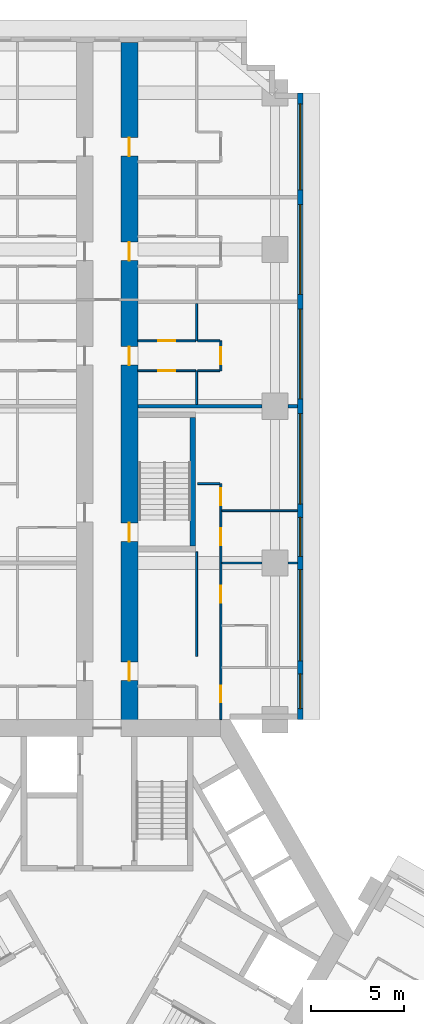
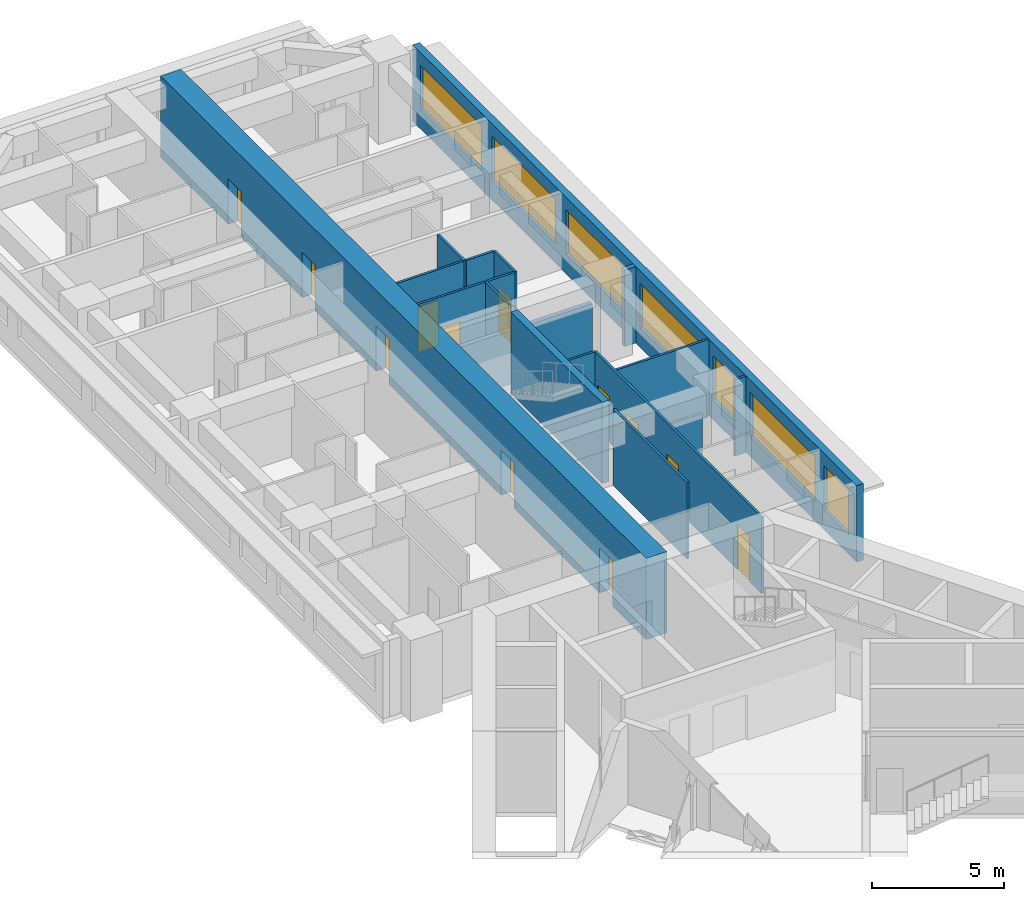
# One storey, part 10 of 16: 18 walls, 12 doors, 7 windows, 19 openings.
"""IFC4 building model written with IfcOpenShell, lengths in metres."""

from ifc_helpers import new_model, si_unit, direction, frame, frame_2d, origin, place, context, subcontext, project, spatial, rectangle, extrude, material, layer, layer_set, type_object, element, fill, save


model = new_model("IFC4")

# Units and contexts
model_context = context("Model", 3, precision=1e-05, world=origin(), true_north=direction((0.0, 1.0)))
body_context = subcontext(model_context, "Body", "Model", "MODEL_VIEW")
ifc_project = project(units=[si_unit("LENGTHUNIT", "METRE"), si_unit("AREAUNIT", "SQUARE_METRE"), si_unit("VOLUMEUNIT", "CUBIC_METRE"), si_unit("PLANEANGLEUNIT", "RADIAN"), si_unit("MASSUNIT", "GRAM", prefix="KILO")], contexts=[model_context])

# Site, building, storey
site_placement = place(None, origin())
site = spatial("IfcSite", under=ifc_project, at=site_placement, CompositionType="ELEMENT")
building_placement = place(site_placement, origin())
building = spatial("IfcBuilding", under=site, at=building_placement, Name="Impinga Residences", CompositionType="ELEMENT")
storey_placement = place(building_placement, frame((0.0, 0.0, 52.25)))
storey = spatial("IfcBuildingStorey", under=building, at=storey_placement, Name="L12", CompositionType="ELEMENT", Elevation=52.25)

# Wall, openings, doors
ifc_material_1 = material(Name="Concrete C70/85", Category="concrete")
ifc_layer_1 = layer(ifc_material_1, 0.89990234375)
ifc_layer_set_1 = layer_set([ifc_layer_1], Name="Concrete C70/85")
wall_type_1 = type_object("IfcWallType", Name="BW1 corridor buttress wall, L05 to L22 900", PredefinedType="SHEAR", material=ifc_layer_set_1)
wall_1_placement = place(storey_placement, frame((1.199951171875, 10.9814453125, 0.0), z_axis=(0.0, 0.0, 1.0), x_axis=(0.0, 1.0, 0.0)))
wall_1 = element("IfcWall", 1, at=wall_1_placement, inside=storey, type_object=wall_type_1, Name="Corridor wall BW1 ND L12", PredefinedType="SHEAR", context=body_context, shape_type="SweptSolid", body=[
    extrude(rectangle(XDim=36.75, YDim=0.89990234375, at=frame_2d((18.375, 0.0))), origin(), (0.0, 0.0, 1.0), 3.75),
])
opening_1_placement = place(wall_1_placement, frame((10.0, 0.0, 0.0)))
opening_1 = element("IfcOpeningElement", 2, at=opening_1_placement, cuts=wall_1, Name="Opening D5", PredefinedType="OPENING", context=body_context, shape_type="SweptSolid", body=[
    extrude(rectangle(XDim=1.0, YDim=2.10009765625, at=frame_2d((0.5, 1.050048828125))), frame((0.0, 0.4599609375, 0.0), z_axis=(0.0, -1.0, 0.0), x_axis=(1.0, 0.0, 0.0)), (0.0, 0.0, 1.0), 0.919921875),
])
opening_2_placement = place(wall_1_placement, frame((2.550048828125, 0.0, 0.0)))
opening_2 = element("IfcOpeningElement", 3, at=opening_2_placement, cuts=wall_1, Name="Opening D1", PredefinedType="OPENING", context=body_context, shape_type="SweptSolid", body=[
    extrude(rectangle(XDim=1.0, YDim=2.10009765625, at=frame_2d((0.5, 1.050048828125))), frame((0.0, 0.4599609375, 0.0), z_axis=(0.0, -1.0, 0.0), x_axis=(1.0, 0.0, 0.0)), (0.0, 0.0, 1.0), 0.919921875),
])
opening_3_placement = place(wall_1_placement, frame((19.449951171875, 0.0, 0.0)))
opening_3 = element("IfcOpeningElement", 4, at=opening_3_placement, cuts=wall_1, Name="Opening D1", PredefinedType="OPENING", context=body_context, shape_type="SweptSolid", body=[
    extrude(rectangle(XDim=1.0, YDim=2.10009765625, at=frame_2d((0.5, 1.050048828125))), frame((0.0, 0.4599609375, 0.0), z_axis=(0.0, -1.0, 0.0), x_axis=(1.0, 0.0, 0.0)), (0.0, 0.0, 1.0), 0.919921875),
])
opening_4_placement = place(wall_1_placement, frame((25.050048828125, 0.0, 0.0)))
opening_4 = element("IfcOpeningElement", 5, at=opening_4_placement, cuts=wall_1, Name="Opening D1", PredefinedType="OPENING", context=body_context, shape_type="SweptSolid", body=[
    extrude(rectangle(XDim=1.0, YDim=2.10009765625, at=frame_2d((0.5, 1.050048828125))), frame((0.0, 0.4599609375, 0.0), z_axis=(0.0, -1.0, 0.0), x_axis=(1.0, 0.0, 0.0)), (0.0, 0.0, 1.0), 0.919921875),
])
opening_5_placement = place(wall_1_placement, frame((30.64990234375, 0.0, 0.0)))
opening_5 = element("IfcOpeningElement", 6, at=opening_5_placement, cuts=wall_1, Name="Opening D1", PredefinedType="OPENING", context=body_context, shape_type="SweptSolid", body=[
    extrude(rectangle(XDim=1.0, YDim=2.10009765625, at=frame_2d((0.5, 1.050048828125))), frame((0.0, 0.4599609375, 0.0), z_axis=(0.0, -1.0, 0.0), x_axis=(1.0, 0.0, 0.0)), (0.0, 0.0, 1.0), 0.919921875),
])
ifc_material_2 = material(Name="Timber door set", Category="wood")
door_type_1 = type_object("IfcDoorType", Name="D1 apartment entrance door 1000x2100", OperationType="SINGLE_SWING_LEFT", PredefinedType="DOOR", material=ifc_material_2)
door_1_placement = place(opening_2_placement, origin())
door_1 = element("IfcDoor", 7, at=door_1_placement, inside=storey, type_object=door_type_1, Name="Apartment L12-NF1 entrance", OperationType="SINGLE_SWING_LEFT", OverallHeight=2.10009765625, OverallWidth=1.0, PredefinedType="DOOR", context=body_context, shape_type="SweptSolid", body=[
    extrude(rectangle(XDim=1.0, YDim=2.10009765625, at=frame_2d((0.5, 1.050048828125))), frame((0.0, 0.02490234375, 0.0), z_axis=(0.0, -1.0, 0.0), x_axis=(1.0, 0.0, 0.0)), (0.0, 0.0, 1.0), 0.050048828125),
])
fill(opening_2, door_1)
door_2_placement = place(opening_3_placement, origin())
door_2 = element("IfcDoor", 8, at=door_2_placement, inside=storey, type_object=door_type_1, Name="Apartment L12-NF2 entrance", OperationType="SINGLE_SWING_RIGHT", OverallHeight=2.10009765625, OverallWidth=1.0, PredefinedType="DOOR", context=body_context, shape_type="SweptSolid", body=[
    extrude(rectangle(XDim=1.0, YDim=2.10009765625, at=frame_2d((0.5, 1.050048828125))), frame((0.0, 0.02490234375, 0.0), z_axis=(0.0, -1.0, 0.0), x_axis=(1.0, 0.0, 0.0)), (0.0, 0.0, 1.0), 0.050048828125),
])
fill(opening_3, door_2)
door_3_placement = place(opening_4_placement, origin())
door_3 = element("IfcDoor", 9, at=door_3_placement, inside=storey, type_object=door_type_1, Name="Apartment L12-NF3 entrance", OperationType="SINGLE_SWING_RIGHT", OverallHeight=2.10009765625, OverallWidth=1.0, PredefinedType="DOOR", context=body_context, shape_type="SweptSolid", body=[
    extrude(rectangle(XDim=1.0, YDim=2.10009765625, at=frame_2d((0.5, 1.050048828125))), frame((0.0, 0.02490234375, 0.0), z_axis=(0.0, -1.0, 0.0), x_axis=(1.0, 0.0, 0.0)), (0.0, 0.0, 1.0), 0.050048828125),
])
fill(opening_4, door_3)
door_4_placement = place(opening_5_placement, origin())
door_4 = element("IfcDoor", 10, at=door_4_placement, inside=storey, type_object=door_type_1, Name="Apartment L12-NF4 entrance", OperationType="SINGLE_SWING_RIGHT", OverallHeight=2.10009765625, OverallWidth=1.0, PredefinedType="DOOR", context=body_context, shape_type="SweptSolid", body=[
    extrude(rectangle(XDim=1.0, YDim=2.10009765625, at=frame_2d((0.5, 1.050048828125))), frame((0.0, 0.02490234375, 0.0), z_axis=(0.0, -1.0, 0.0), x_axis=(1.0, 0.0, 0.0)), (0.0, 0.0, 1.0), 0.050048828125),
])
fill(opening_5, door_4)
door_type_2 = type_object("IfcDoorType", Name="D5 stair door 1000x2100", OperationType="SINGLE_SWING_LEFT", PredefinedType="DOOR", material=ifc_material_2)
door_5_placement = place(opening_1_placement, origin())
door_5 = element("IfcDoor", 11, at=door_5_placement, inside=storey, type_object=door_type_2, Name="Wing stair door N", OperationType="SINGLE_SWING_LEFT", OverallHeight=2.10009765625, OverallWidth=1.0, PredefinedType="DOOR", context=body_context, shape_type="SweptSolid", body=[
    extrude(rectangle(XDim=1.0, YDim=2.10009765625, at=frame_2d((0.5, 1.050048828125))), frame((0.0, 0.02490234375, 0.0), z_axis=(0.0, -1.0, 0.0), x_axis=(1.0, 0.0, 0.0)), (0.0, 0.0, 1.0), 0.050048828125),
])
fill(opening_1, door_5)

# Wall, openings, windows
ifc_material_3 = material(Name="Terracotta rainscreen on blockwork", Category="masonry")
ifc_layer_2 = layer(ifc_material_3, 0.300048828125)
ifc_layer_set_2 = layer_set([ifc_layer_2], Name="EW1 external wall, terracotta rainscreen on blockwork 300")
wall_type_2 = type_object("IfcWallType", Name="EW1 external wall, terracotta rainscreen on blockwork 300", PredefinedType="SOLIDWALL", material=ifc_layer_set_2)
wall_2_placement = place(storey_placement, frame((10.35009765625, 45.031494140625, 0.0), z_axis=(0.0, 0.0, 1.0), x_axis=(0.0, -1.0, 0.0)))
wall_2 = element("IfcWall", 12, at=wall_2_placement, inside=storey, type_object=wall_type_2, Name="External wall EW1 L12", PredefinedType="SOLIDWALL", context=body_context, shape_type="SweptSolid", body=[
    extrude(rectangle(XDim=33.599853515625, YDim=0.300048828125, at=frame_2d((16.7998046875, 0.0))), origin(), (0.0, 0.0, 1.0), 3.530029296875),
])
opening_6_placement = place(wall_2_placement, frame((0.60009765625, 0.0, 0.89990234375)))
opening_6 = element("IfcOpeningElement", 13, at=opening_6_placement, cuts=wall_2, Name="Opening W3", PredefinedType="OPENING", context=body_context, shape_type="SweptSolid", body=[
    extrude(rectangle(XDim=4.60009765625, YDim=2.050048828125, at=frame_2d((2.300048828125, 1.02490234375))), frame((0.0, 0.159912109375, 0.0), z_axis=(0.0, -1.0, 0.0), x_axis=(1.0, 0.0, 0.0)), (0.0, 0.0, 1.0), 0.320068359375),
])
opening_7_placement = place(wall_2_placement, frame((6.0, 0.0, 0.89990234375)))
opening_7 = element("IfcOpeningElement", 14, at=opening_7_placement, cuts=wall_2, Name="Opening W8", PredefinedType="OPENING", context=body_context, shape_type="SweptSolid", body=[
    extrude(rectangle(XDim=4.800048828125, YDim=2.050048828125, at=frame_2d((2.39990234375, 1.02490234375))), frame((0.0, 0.159912109375, 0.0), z_axis=(0.0, -1.0, 0.0), x_axis=(1.0, 0.0, 0.0)), (0.0, 0.0, 1.0), 0.320068359375),
])
opening_8_placement = place(wall_2_placement, frame((11.60009765625, 0.0, 0.89990234375)))
opening_8 = element("IfcOpeningElement", 15, at=opening_8_placement, cuts=wall_2, Name="Opening W8", PredefinedType="OPENING", context=body_context, shape_type="SweptSolid", body=[
    extrude(rectangle(XDim=4.800048828125, YDim=2.050048828125, at=frame_2d((2.39990234375, 1.02490234375))), frame((0.0, 0.159912109375, 0.0), z_axis=(0.0, -1.0, 0.0), x_axis=(1.0, 0.0, 0.0)), (0.0, 0.0, 1.0), 0.320068359375),
])
opening_9_placement = place(wall_2_placement, frame((17.199951171875, 0.0, 0.89990234375)))
opening_9 = element("IfcOpeningElement", 16, at=opening_9_placement, cuts=wall_2, Name="Opening W6", PredefinedType="OPENING", context=body_context, shape_type="SweptSolid", body=[
    extrude(rectangle(XDim=4.85009765625, YDim=2.050048828125, at=frame_2d((2.425048828125, 1.02490234375))), frame((0.0, 0.159912109375, 0.0), z_axis=(0.0, -1.0, 0.0), x_axis=(1.0, 0.0, 0.0)), (0.0, 0.0, 1.0), 0.320068359375),
])
opening_10_placement = place(wall_2_placement, frame((22.75, 0.0, 0.89990234375)))
opening_10 = element("IfcOpeningElement", 17, at=opening_10_placement, cuts=wall_2, Name="Opening W9", PredefinedType="OPENING", context=body_context, shape_type="SweptSolid", body=[
    extrude(rectangle(XDim=2.10009765625, YDim=2.050048828125, at=frame_2d((1.050048828125, 1.02490234375))), frame((0.0, 0.159912109375, 0.0), z_axis=(0.0, -1.0, 0.0), x_axis=(1.0, 0.0, 0.0)), (0.0, 0.0, 1.0), 0.320068359375),
])
opening_11_placement = place(wall_2_placement, frame((25.550048828125, 0.0, 0.89990234375)))
opening_11 = element("IfcOpeningElement", 18, at=opening_11_placement, cuts=wall_2, Name="Opening W16", PredefinedType="OPENING", context=body_context, shape_type="SweptSolid", body=[
    extrude(rectangle(XDim=4.89990234375, YDim=2.050048828125, at=frame_2d((2.449951171875, 1.02490234375))), frame((0.0, 0.159912109375, 0.0), z_axis=(0.0, -1.0, 0.0), x_axis=(1.0, 0.0, 0.0)), (0.0, 0.0, 1.0), 0.320068359375),
])
opening_12_placement = place(wall_2_placement, frame((31.14990234375, 0.0, 0.89990234375)))
opening_12 = element("IfcOpeningElement", 19, at=opening_12_placement, cuts=wall_2, Name="Opening W15", PredefinedType="OPENING", context=body_context, shape_type="SweptSolid", body=[
    extrude(rectangle(XDim=1.85009765625, YDim=2.050048828125, at=frame_2d((0.925048828125, 1.02490234375))), frame((0.0, 0.159912109375, 0.0), z_axis=(0.0, -1.0, 0.0), x_axis=(1.0, 0.0, 0.0)), (0.0, 0.0, 1.0), 0.320068359375),
])
ifc_material_4 = material(Name="Aluminium window, clear double glazing", Category="aluminium")
window_type_1 = type_object("IfcWindowType", Name="W15 ribbon window 1850x2050", PartitioningType="SINGLE_PANEL", PredefinedType="WINDOW", material=ifc_material_4)
window_1_placement = place(opening_12_placement, origin())
window_1 = element("IfcWindow", 20, at=window_1_placement, inside=storey, type_object=window_type_1, Name="Window L12", OverallHeight=2.050048828125, OverallWidth=1.85009765625, PartitioningType="SINGLE_PANEL", PredefinedType="WINDOW", context=body_context, shape_type="SweptSolid", body=[
    extrude(rectangle(XDim=1.85009765625, YDim=2.050048828125, at=frame_2d((0.925048828125, 1.02490234375))), frame((0.0, 0.030029296875, 0.0), z_axis=(0.0, -1.0, 0.0), x_axis=(1.0, 0.0, 0.0)), (0.0, 0.0, 1.0), 0.06005859375),
])
fill(opening_12, window_1)
window_type_2 = type_object("IfcWindowType", Name="W16 ribbon window 4900x2050", PartitioningType="SINGLE_PANEL", PredefinedType="WINDOW", material=ifc_material_4)
window_2_placement = place(opening_11_placement, origin())
window_2 = element("IfcWindow", 21, at=window_2_placement, inside=storey, type_object=window_type_2, Name="Window L12", OverallHeight=2.050048828125, OverallWidth=4.89990234375, PartitioningType="SINGLE_PANEL", PredefinedType="WINDOW", context=body_context, shape_type="SweptSolid", body=[
    extrude(rectangle(XDim=4.89990234375, YDim=2.050048828125, at=frame_2d((2.449951171875, 1.02490234375))), frame((0.0, 0.030029296875, 0.0), z_axis=(0.0, -1.0, 0.0), x_axis=(1.0, 0.0, 0.0)), (0.0, 0.0, 1.0), 0.06005859375),
])
fill(opening_11, window_2)
window_type_3 = type_object("IfcWindowType", Name="W3 ribbon window 4600x2050", PartitioningType="SINGLE_PANEL", PredefinedType="WINDOW", material=ifc_material_4)
window_3_placement = place(opening_6_placement, origin())
window_3 = element("IfcWindow", 22, at=window_3_placement, inside=storey, type_object=window_type_3, Name="Window L12", OverallHeight=2.050048828125, OverallWidth=4.60009765625, PartitioningType="SINGLE_PANEL", PredefinedType="WINDOW", context=body_context, shape_type="SweptSolid", body=[
    extrude(rectangle(XDim=4.60009765625, YDim=2.050048828125, at=frame_2d((2.300048828125, 1.02490234375))), frame((0.0, 0.030029296875, 0.0), z_axis=(0.0, -1.0, 0.0), x_axis=(1.0, 0.0, 0.0)), (0.0, 0.0, 1.0), 0.06005859375),
])
fill(opening_6, window_3)
window_type_4 = type_object("IfcWindowType", Name="W6 ribbon window 4850x2050", PartitioningType="SINGLE_PANEL", PredefinedType="WINDOW", material=ifc_material_4)
window_4_placement = place(opening_9_placement, origin())
window_4 = element("IfcWindow", 23, at=window_4_placement, inside=storey, type_object=window_type_4, Name="Window L12", OverallHeight=2.050048828125, OverallWidth=4.85009765625, PartitioningType="SINGLE_PANEL", PredefinedType="WINDOW", context=body_context, shape_type="SweptSolid", body=[
    extrude(rectangle(XDim=4.85009765625, YDim=2.050048828125, at=frame_2d((2.425048828125, 1.02490234375))), frame((0.0, 0.030029296875, 0.0), z_axis=(0.0, -1.0, 0.0), x_axis=(1.0, 0.0, 0.0)), (0.0, 0.0, 1.0), 0.06005859375),
])
fill(opening_9, window_4)
window_type_5 = type_object("IfcWindowType", Name="W8 ribbon window 4800x2050", PartitioningType="SINGLE_PANEL", PredefinedType="WINDOW", material=ifc_material_4)
window_5_placement = place(opening_7_placement, origin())
window_5 = element("IfcWindow", 24, at=window_5_placement, inside=storey, type_object=window_type_5, Name="Window L12", OverallHeight=2.050048828125, OverallWidth=4.800048828125, PartitioningType="SINGLE_PANEL", PredefinedType="WINDOW", context=body_context, shape_type="SweptSolid", body=[
    extrude(rectangle(XDim=4.800048828125, YDim=2.050048828125, at=frame_2d((2.39990234375, 1.02490234375))), frame((0.0, 0.030029296875, 0.0), z_axis=(0.0, -1.0, 0.0), x_axis=(1.0, 0.0, 0.0)), (0.0, 0.0, 1.0), 0.06005859375),
])
fill(opening_7, window_5)
window_6_placement = place(opening_8_placement, origin())
window_6 = element("IfcWindow", 25, at=window_6_placement, inside=storey, type_object=window_type_5, Name="Window L12", OverallHeight=2.050048828125, OverallWidth=4.800048828125, PartitioningType="SINGLE_PANEL", PredefinedType="WINDOW", context=body_context, shape_type="SweptSolid", body=[
    extrude(rectangle(XDim=4.800048828125, YDim=2.050048828125, at=frame_2d((2.39990234375, 1.02490234375))), frame((0.0, 0.030029296875, 0.0), z_axis=(0.0, -1.0, 0.0), x_axis=(1.0, 0.0, 0.0)), (0.0, 0.0, 1.0), 0.06005859375),
])
fill(opening_8, window_6)
window_type_6 = type_object("IfcWindowType", Name="W9 ribbon window 2100x2050", PartitioningType="SINGLE_PANEL", PredefinedType="WINDOW", material=ifc_material_4)
window_7_placement = place(opening_10_placement, origin())
window_7 = element("IfcWindow", 26, at=window_7_placement, inside=storey, type_object=window_type_6, Name="Window L12", OverallHeight=2.050048828125, OverallWidth=2.10009765625, PartitioningType="SINGLE_PANEL", PredefinedType="WINDOW", context=body_context, shape_type="SweptSolid", body=[
    extrude(rectangle(XDim=2.10009765625, YDim=2.050048828125, at=frame_2d((1.050048828125, 1.02490234375))), frame((0.0, 0.030029296875, 0.0), z_axis=(0.0, -1.0, 0.0), x_axis=(1.0, 0.0, 0.0)), (0.0, 0.0, 1.0), 0.06005859375),
])
fill(opening_10, window_7)

# Wall
ifc_material_5 = material(Name="Gypsum board on steel studs", Category="steel")
ifc_layer_3 = layer(ifc_material_5, 0.10009765625)
ifc_layer_set_3 = layer_set([ifc_layer_3], Name="Gypsum board on steel studs")
wall_type_3 = type_object("IfcWallType", Name="IP1 partition 100", PredefinedType="PARTITIONING", material=ifc_layer_set_3)
wall_3_placement = place(storey_placement, frame((4.800048828125, 14.83154296875, 0.0), z_axis=(0.0, 0.0, 1.0), x_axis=(0.0, 1.0, 0.0)))
element("IfcWall", 27, at=wall_3_placement, inside=storey, type_object=wall_type_3, Name="Partition L12-NF1:DIV1", PredefinedType="PARTITIONING", context=body_context, shape_type="SweptSolid", body=[
    extrude(rectangle(XDim=5.60009765625, YDim=0.10009765625, at=frame_2d((2.800048828125, 0.0))), origin(), (0.0, 0.0, 1.0), 3.530029296875),
])

# Wall, openings, doors
wall_4_placement = place(storey_placement, frame((6.10009765625, 11.431640625, 0.0), z_axis=(0.0, 0.0, 1.0), x_axis=(0.0, 1.0, 0.0)))
wall_4 = element("IfcWall", 28, at=wall_4_placement, inside=storey, type_object=wall_type_3, Name="Partition L12-NF1:STRIP", PredefinedType="PARTITIONING", context=body_context, shape_type="SweptSolid", body=[
    extrude(rectangle(XDim=12.64990234375, YDim=0.10009765625, at=frame_2d((6.324951171875, 0.0))), origin(), (0.0, 0.0, 1.0), 3.530029296875),
])
opening_13_placement = place(wall_4_placement, frame((0.925048828125, 0.0, 0.0)))
opening_13 = element("IfcOpeningElement", 29, at=opening_13_placement, cuts=wall_4, Name="Opening D2", PredefinedType="OPENING", context=body_context, shape_type="SweptSolid", body=[
    extrude(rectangle(XDim=0.89990234375, YDim=2.10009765625, at=frame_2d((0.449951171875, 1.050048828125))), frame((0.0, 0.06005859375, 0.0), z_axis=(0.0, -1.0, 0.0), x_axis=(1.0, 0.0, 0.0)), (0.0, 0.0, 1.0), 0.1201171875),
])
opening_14_placement = place(wall_4_placement, frame((6.27490234375, 0.0, 0.0)))
opening_14 = element("IfcOpeningElement", 30, at=opening_14_placement, cuts=wall_4, Name="Opening D2", PredefinedType="OPENING", context=body_context, shape_type="SweptSolid", body=[
    extrude(rectangle(XDim=0.89990234375, YDim=2.10009765625, at=frame_2d((0.449951171875, 1.050048828125))), frame((0.0, 0.06005859375, 0.0), z_axis=(0.0, -1.0, 0.0), x_axis=(1.0, 0.0, 0.0)), (0.0, 0.0, 1.0), 0.1201171875),
])
opening_15_placement = place(wall_4_placement, frame((9.35009765625, 0.0, 0.0)))
opening_15 = element("IfcOpeningElement", 31, at=opening_15_placement, cuts=wall_4, Name="Opening D2", PredefinedType="OPENING", context=body_context, shape_type="SweptSolid", body=[
    extrude(rectangle(XDim=0.89990234375, YDim=2.10009765625, at=frame_2d((0.449951171875, 1.050048828125))), frame((0.0, 0.06005859375, 0.0), z_axis=(0.0, -1.0, 0.0), x_axis=(1.0, 0.0, 0.0)), (0.0, 0.0, 1.0), 0.1201171875),
])
opening_16_placement = place(wall_4_placement, frame((11.5, 0.0, 0.0)))
opening_16 = element("IfcOpeningElement", 32, at=opening_16_placement, cuts=wall_4, Name="Opening D2", PredefinedType="OPENING", context=body_context, shape_type="SweptSolid", body=[
    extrude(rectangle(XDim=0.89990234375, YDim=2.10009765625, at=frame_2d((0.449951171875, 1.050048828125))), frame((0.0, 0.06005859375, 0.0), z_axis=(0.0, -1.0, 0.0), x_axis=(1.0, 0.0, 0.0)), (0.0, 0.0, 1.0), 0.1201171875),
])
door_type_3 = type_object("IfcDoorType", Name="D2 internal door 900x2100", OperationType="SINGLE_SWING_LEFT", PredefinedType="DOOR", material=ifc_material_2)
door_6_placement = place(opening_13_placement, origin())
door_6 = element("IfcDoor", 33, at=door_6_placement, inside=storey, type_object=door_type_3, Name="Apartment L12-NF1 room door", OperationType="SINGLE_SWING_LEFT", OverallHeight=2.10009765625, OverallWidth=0.89990234375, PredefinedType="DOOR", context=body_context, shape_type="SweptSolid", body=[
    extrude(rectangle(XDim=0.89990234375, YDim=2.10009765625, at=frame_2d((0.449951171875, 1.050048828125))), frame((0.0, 0.02490234375, 0.0), z_axis=(0.0, -1.0, 0.0), x_axis=(1.0, 0.0, 0.0)), (0.0, 0.0, 1.0), 0.050048828125),
])
fill(opening_13, door_6)
door_7_placement = place(opening_14_placement, origin())
door_7 = element("IfcDoor", 34, at=door_7_placement, inside=storey, type_object=door_type_3, Name="Apartment L12-NF1 room door", OperationType="SINGLE_SWING_RIGHT", OverallHeight=2.10009765625, OverallWidth=0.89990234375, PredefinedType="DOOR", context=body_context, shape_type="SweptSolid", body=[
    extrude(rectangle(XDim=0.89990234375, YDim=2.10009765625, at=frame_2d((0.449951171875, 1.050048828125))), frame((0.0, 0.02490234375, 0.0), z_axis=(0.0, -1.0, 0.0), x_axis=(1.0, 0.0, 0.0)), (0.0, 0.0, 1.0), 0.050048828125),
])
fill(opening_14, door_7)
door_8_placement = place(opening_15_placement, origin())
door_8 = element("IfcDoor", 35, at=door_8_placement, inside=storey, type_object=door_type_3, Name="Apartment L12-NF1 room door", OperationType="SINGLE_SWING_RIGHT", OverallHeight=2.10009765625, OverallWidth=0.89990234375, PredefinedType="DOOR", context=body_context, shape_type="SweptSolid", body=[
    extrude(rectangle(XDim=0.89990234375, YDim=2.10009765625, at=frame_2d((0.449951171875, 1.050048828125))), frame((0.0, 0.02490234375, 0.0), z_axis=(0.0, -1.0, 0.0), x_axis=(1.0, 0.0, 0.0)), (0.0, 0.0, 1.0), 0.050048828125),
])
fill(opening_15, door_8)
door_9_placement = place(opening_16_placement, origin())
door_9 = element("IfcDoor", 36, at=door_9_placement, inside=storey, type_object=door_type_3, Name="Apartment L12-NF1 room door", OperationType="SINGLE_SWING_RIGHT", OverallHeight=2.10009765625, OverallWidth=0.89990234375, PredefinedType="DOOR", context=body_context, shape_type="SweptSolid", body=[
    extrude(rectangle(XDim=0.89990234375, YDim=2.10009765625, at=frame_2d((0.449951171875, 1.050048828125))), frame((0.0, 0.02490234375, 0.0), z_axis=(0.0, -1.0, 0.0), x_axis=(1.0, 0.0, 0.0)), (0.0, 0.0, 1.0), 0.050048828125),
])
fill(opening_16, door_9)

# Walls
wall_5_placement = place(storey_placement, frame((4.85009765625, 24.08154296875, 0.0), z_axis=(0.0, 0.0, 1.0), x_axis=(1.0, 0.0, 0.0)))
element("IfcWall", 37, at=wall_5_placement, inside=storey, type_object=wall_type_3, Name="Partition L12-NF1:SE1", PredefinedType="PARTITIONING", context=body_context, shape_type="SweptSolid", body=[
    extrude(rectangle(XDim=1.199951171875, YDim=0.10009765625, at=frame_2d((0.60009765625, 0.0))), origin(), (0.0, 0.0, 1.0), 3.530029296875),
])
wall_6_placement = place(storey_placement, frame((6.14990234375, 19.83154296875, 0.0), z_axis=(0.0, 0.0, 1.0), x_axis=(1.0, 0.0, 0.0)))
element("IfcWall", 38, at=wall_6_placement, inside=storey, type_object=wall_type_3, Name="Partition L12-NF1:OB2", PredefinedType="PARTITIONING", context=body_context, shape_type="SweptSolid", body=[
    extrude(rectangle(XDim=2.150146484375, YDim=0.10009765625, at=frame_2d((1.0751953125, 0.0))), origin(), (0.0, 0.0, 1.0), 2.47998046875),
])
wall_7_placement = place(storey_placement, frame((9.699951171875, 19.83154296875, 0.0), z_axis=(0.0, 0.0, 1.0), x_axis=(1.0, 0.0, 0.0)))
element("IfcWall", 39, at=wall_7_placement, inside=storey, type_object=wall_type_3, Name="Partition L12-NF1:OB2b", PredefinedType="PARTITIONING", context=body_context, shape_type="SweptSolid", body=[
    extrude(rectangle(XDim=0.5, YDim=0.10009765625, at=frame_2d((0.25, 0.0))), origin(), (0.0, 0.0, 1.0), 3.530029296875),
])
wall_8_placement = place(storey_placement, frame((6.14990234375, 22.631591796875, 0.0), z_axis=(0.0, 0.0, 1.0), x_axis=(1.0, 0.0, 0.0)))
element("IfcWall", 40, at=wall_8_placement, inside=storey, type_object=wall_type_3, Name="Partition L12-NF1:OB3", PredefinedType="PARTITIONING", context=body_context, shape_type="SweptSolid", body=[
    extrude(rectangle(XDim=4.050048828125, YDim=0.10009765625, at=frame_2d((2.02490234375, 0.0))), origin(), (0.0, 0.0, 1.0), 3.530029296875),
])
wall_9_placement = place(storey_placement, frame((4.800048828125, 28.33154296875, 0.0), z_axis=(0.0, 0.0, 1.0), x_axis=(0.0, 1.0, 0.0)))
element("IfcWall", 41, at=wall_9_placement, inside=storey, type_object=wall_type_3, Name="Partition L12-NF2:DIV0", PredefinedType="PARTITIONING", context=body_context, shape_type="SweptSolid", body=[
    extrude(rectangle(XDim=1.800048828125, YDim=0.10009765625, at=frame_2d((0.89990234375, 0.0))), origin(), (0.0, 0.0, 1.0), 3.530029296875),
])
wall_10_placement = place(storey_placement, frame((4.800048828125, 31.7314453125, 0.0), z_axis=(0.0, 0.0, 1.0), x_axis=(0.0, 1.0, 0.0)))
element("IfcWall", 42, at=wall_10_placement, inside=storey, type_object=wall_type_3, Name="Partition L12-NF2:DIV1", PredefinedType="PARTITIONING", context=body_context, shape_type="SweptSolid", body=[
    extrude(rectangle(XDim=2.0, YDim=0.10009765625, at=frame_2d((1.0, 0.0))), origin(), (0.0, 0.0, 1.0), 3.530029296875),
])

# Wall, opening, door
wall_11_placement = place(storey_placement, frame((6.10009765625, 30.131591796875, 0.0), z_axis=(0.0, 0.0, 1.0), x_axis=(0.0, 1.0, 0.0)))
wall_11 = element("IfcWall", 43, at=wall_11_placement, inside=storey, type_object=wall_type_3, Name="Partition L12-NF2:STRIP", PredefinedType="PARTITIONING", context=body_context, shape_type="SweptSolid", body=[
    extrude(rectangle(XDim=1.599853515625, YDim=0.10009765625, at=frame_2d((0.7998046875, 0.0))), origin(), (0.0, 0.0, 1.0), 3.530029296875),
])
opening_17_placement = place(wall_11_placement, frame((0.35009765625, 0.0, 0.0)))
opening_17 = element("IfcOpeningElement", 44, at=opening_17_placement, cuts=wall_11, Name="Opening D2", PredefinedType="OPENING", context=body_context, shape_type="SweptSolid", body=[
    extrude(rectangle(XDim=0.89990234375, YDim=2.10009765625, at=frame_2d((0.449951171875, 1.050048828125))), frame((0.0, 0.06005859375, 0.0), z_axis=(0.0, -1.0, 0.0), x_axis=(1.0, 0.0, 0.0)), (0.0, 0.0, 1.0), 0.1201171875),
])
door_10_placement = place(opening_17_placement, origin())
door_10 = element("IfcDoor", 45, at=door_10_placement, inside=storey, type_object=door_type_3, Name="Apartment L12-NF2 room door", OperationType="SINGLE_SWING_LEFT", OverallHeight=2.10009765625, OverallWidth=0.89990234375, PredefinedType="DOOR", context=body_context, shape_type="SweptSolid", body=[
    extrude(rectangle(XDim=0.89990234375, YDim=2.10009765625, at=frame_2d((0.449951171875, 1.050048828125))), frame((0.0, 0.02490234375, 0.0), z_axis=(0.0, -1.0, 0.0), x_axis=(1.0, 0.0, 0.0)), (0.0, 0.0, 1.0), 0.050048828125),
])
fill(opening_17, door_10)

# Walls
for number, where, z_axis, x_axis, name in (
    (46, (4.85009765625, 30.131591796875, 0.0), (0.0, 0.0, 1.0), (1.0, 0.0, 0.0), "Partition L12-NF2:SE0"),
    (47, (4.85009765625, 31.7314453125, 0.0), (0.0, 0.0, 1.0), (1.0, 0.0, 0.0), "Partition L12-NF2:SE1"),
):
    element("IfcWall", number, at=place(storey_placement, frame(where, z_axis=z_axis, x_axis=x_axis)), inside=storey, type_object=wall_type_3, Name=name, PredefinedType="PARTITIONING", context=body_context, shape_type="SweptSolid", body=[
        extrude(rectangle(XDim=1.199951171875, YDim=0.10009765625, at=frame_2d((0.60009765625, 0.0))), origin(), (0.0, 0.0, 1.0), 3.530029296875),
    ])

# Wall, opening, door
wall_12_placement = place(storey_placement, frame((1.64990234375, 30.131591796875, 0.0), z_axis=(0.0, 0.0, 1.0), x_axis=(1.0, 0.0, 0.0)))
wall_12 = element("IfcWall", 48, at=wall_12_placement, inside=storey, type_object=wall_type_3, Name="Partition L12-NF2:IB1", PredefinedType="PARTITIONING", context=body_context, shape_type="SweptSolid", body=[
    extrude(rectangle(XDim=3.10009765625, YDim=0.10009765625, at=frame_2d((1.550048828125, 0.0))), origin(), (0.0, 0.0, 1.0), 3.530029296875),
])
opening_18_placement = place(wall_12_placement, frame((1.10009765625, 0.0, 0.0)))
opening_18 = element("IfcOpeningElement", 49, at=opening_18_placement, cuts=wall_12, Name="Opening D2", PredefinedType="OPENING", context=body_context, shape_type="SweptSolid", body=[
    extrude(rectangle(XDim=0.89990234375, YDim=2.10009765625, at=frame_2d((0.449951171875, 1.050048828125))), frame((0.0, 0.06005859375, 0.0), z_axis=(0.0, -1.0, 0.0), x_axis=(1.0, 0.0, 0.0)), (0.0, 0.0, 1.0), 0.1201171875),
])
door_11_placement = place(opening_18_placement, origin())
door_11 = element("IfcDoor", 50, at=door_11_placement, inside=storey, type_object=door_type_3, Name="Apartment L12-NF2 bathroom door", OperationType="SINGLE_SWING_LEFT", OverallHeight=2.10009765625, OverallWidth=0.89990234375, PredefinedType="DOOR", context=body_context, shape_type="SweptSolid", body=[
    extrude(rectangle(XDim=0.89990234375, YDim=2.10009765625, at=frame_2d((0.449951171875, 1.050048828125))), frame((0.0, 0.02490234375, 0.0), z_axis=(0.0, -1.0, 0.0), x_axis=(1.0, 0.0, 0.0)), (0.0, 0.0, 1.0), 0.050048828125),
])
fill(opening_18, door_11)

wall_13_placement = place(storey_placement, frame((1.64990234375, 31.7314453125, 0.0), z_axis=(0.0, 0.0, 1.0), x_axis=(1.0, 0.0, 0.0)))
wall_13 = element("IfcWall", 51, at=wall_13_placement, inside=storey, type_object=wall_type_3, Name="Partition L12-NF2:IB2", PredefinedType="PARTITIONING", context=body_context, shape_type="SweptSolid", body=[
    extrude(rectangle(XDim=3.10009765625, YDim=0.10009765625, at=frame_2d((1.550048828125, 0.0))), origin(), (0.0, 0.0, 1.0), 3.530029296875),
])
opening_19_placement = place(wall_13_placement, frame((1.10009765625, 0.0, 0.0)))
opening_19 = element("IfcOpeningElement", 52, at=opening_19_placement, cuts=wall_13, Name="Opening D2", PredefinedType="OPENING", context=body_context, shape_type="SweptSolid", body=[
    extrude(rectangle(XDim=0.89990234375, YDim=2.10009765625, at=frame_2d((0.449951171875, 1.050048828125))), frame((0.0, 0.06005859375, 0.0), z_axis=(0.0, -1.0, 0.0), x_axis=(1.0, 0.0, 0.0)), (0.0, 0.0, 1.0), 0.1201171875),
])
door_12_placement = place(opening_19_placement, origin())
door_12 = element("IfcDoor", 53, at=door_12_placement, inside=storey, type_object=door_type_3, Name="Apartment L12-NF2 WC door", OperationType="SINGLE_SWING_LEFT", OverallHeight=2.10009765625, OverallWidth=0.89990234375, PredefinedType="DOOR", context=body_context, shape_type="SweptSolid", body=[
    extrude(rectangle(XDim=0.89990234375, YDim=2.10009765625, at=frame_2d((0.449951171875, 1.050048828125))), frame((0.0, 0.02490234375, 0.0), z_axis=(0.0, -1.0, 0.0), x_axis=(1.0, 0.0, 0.0)), (0.0, 0.0, 1.0), 0.050048828125),
])
fill(opening_19, door_12)

# Walls
ifc_material_6 = material(Name="Concrete blockwork", Category="masonry")
ifc_layer_4 = layer(ifc_material_6, 0.199951171875)
ifc_layer_set_4 = layer_set([ifc_layer_4], Name="PW1 party wall between apartments 200")
wall_type_4 = type_object("IfcWallType", Name="PW1 party wall between apartments 200", PredefinedType="SOLIDWALL", material=ifc_layer_set_4)
wall_14_placement = place(storey_placement, frame((1.64990234375, 28.2314453125, 0.0), z_axis=(0.0, 0.0, 1.0), x_axis=(1.0, 0.0, 0.0)))
element("IfcWall", 54, at=wall_14_placement, inside=storey, type_object=wall_type_4, Name="Party wall between apartments L12-NF1:PARTY", PredefinedType="SOLIDWALL", context=body_context, shape_type="SweptSolid", body=[
    extrude(rectangle(XDim=6.650146484375, YDim=0.199951171875, at=frame_2d((3.3251953125, 0.0))), origin(), (0.0, 0.0, 1.0), 2.47998046875),
])
wall_15_placement = place(storey_placement, frame((9.699951171875, 28.2314453125, 0.0), z_axis=(0.0, 0.0, 1.0), x_axis=(1.0, 0.0, 0.0)))
element("IfcWall", 55, at=wall_15_placement, inside=storey, type_object=wall_type_4, Name="Party wall between apartments L12-NF1:PARTYb", PredefinedType="SOLIDWALL", context=body_context, shape_type="SweptSolid", body=[
    extrude(rectangle(XDim=0.5, YDim=0.199951171875, at=frame_2d((0.25, 0.0))), origin(), (0.0, 0.0, 1.0), 3.530029296875),
])
ifc_material_7 = material(Name="Concrete C60/75", Category="concrete")
ifc_layer_5 = layer(ifc_material_7, 0.300048828125)
ifc_layer_set_5 = layer_set([ifc_layer_5], Name="Concrete C60/75")
wall_type_5 = type_object("IfcWallType", Name="SE1 wing stair enclosure wall 300", PredefinedType="SOLIDWALL", material=ifc_layer_set_5)
wall_16_placement = place(storey_placement, frame((4.60009765625, 20.7314453125, 0.0), z_axis=(0.0, 0.0, 1.0), x_axis=(0.0, 1.0, 0.0)))
element("IfcWall", 56, at=wall_16_placement, inside=storey, type_object=wall_type_5, Name="Stair enclosure wall SE1 N OUT L12", PredefinedType="SOLIDWALL", context=body_context, shape_type="SweptSolid", body=[
    extrude(rectangle(XDim=6.900146484375, YDim=0.300048828125, at=frame_2d((3.4501953125, 0.0))), origin(), (0.0, 0.0, 1.0), 3.75),
])

save(model, "model.ifc")
